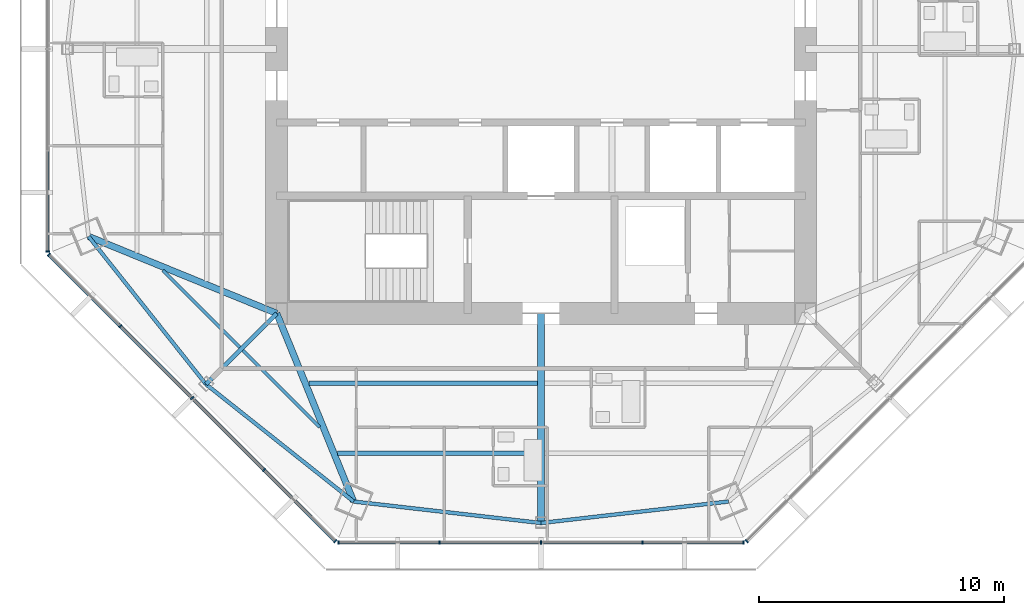
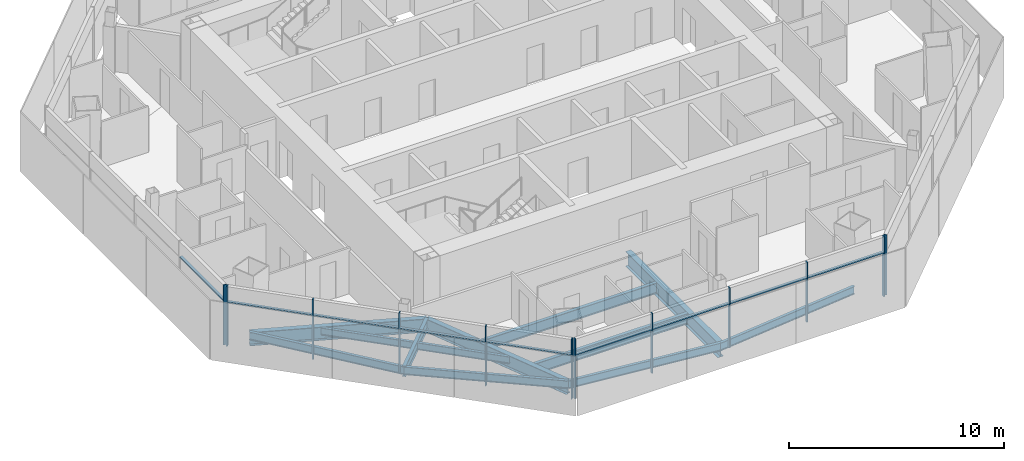
# One storey, part 2 of 15: 21 members, 12 beams, 4 elements without a shape of their own.
"""IFC4 building model written with IfcOpenShell, lengths in metres."""

from ifc_helpers import new_model, si_unit, direction, frame, origin, origin_2d, place, context, subcontext, project, spatial, rectangle, i_section, extrude, source, transform, mapped, material, material_profile, profile_set, type_object, type_shapes, element, aggregate, save


model = new_model("IFC4")

# Units and contexts
model_context = context("Model", 3, precision=1e-05, world=origin(), true_north=direction((0.0, 1.0)))
body_context = subcontext(model_context, "Body", "Model", "MODEL_VIEW")
ifc_project = project(units=[si_unit("LENGTHUNIT", "METRE"), si_unit("AREAUNIT", "SQUARE_METRE"), si_unit("VOLUMEUNIT", "CUBIC_METRE"), si_unit("PLANEANGLEUNIT", "RADIAN"), si_unit("MASSUNIT", "GRAM", prefix="KILO")], contexts=[model_context])

# Site, building, storey
site_placement = place(None, origin())
site = spatial("IfcSite", under=ifc_project, at=site_placement, CompositionType="ELEMENT")
building_placement = place(site_placement, origin())
building = spatial("IfcBuilding", under=site, at=building_placement, Name="Mashrafa Tower", CompositionType="ELEMENT")
storey_placement = place(building_placement, frame((0.0, 0.0, 277.60009765625)))
storey = spatial("IfcBuildingStorey", under=building, at=storey_placement, Name="L67", CompositionType="ELEMENT", Elevation=277.60009765625)

# Beams
ifc_material_1 = material(Name="Steel ASTM A992", Category="steel")
ifc_material_profile_1 = material_profile(ifc_material_1, i_section(OverallWidth=0.140380859375, OverallDepth=0.40380859375, WebThickness=0.007080078125, FlangeThickness=0.01123046875, FilletRadius=0.01025390625, at=origin_2d()), Name="W16X31")
ifc_profile_set_1 = profile_set([ifc_material_profile_1], Name="Steel ASTM A992")
beam_type_1 = type_object("IfcBeamType", Name="Beam W16X31", PredefinedType="BEAM", material=ifc_profile_set_1)
for number, where, z_axis, x_axis, name in (
    (1, (-12.310546875, -12.1845703125, -0.402099609375), (-0.707106781187, 0.707106781187, 0.0), (-0.707106781187, -0.707106781187, 0.0), "Floor beam L67 006"),
    (2, (-9.0439453125, -15.451171875, -0.402099609375), (-0.707106781187, 0.707106781187, 0.0), (-0.707106781187, -0.707106781187, 0.0), "Floor beam L67 009"),
):
    element("IfcBeam", number, at=place(storey_placement, frame(where, z_axis=z_axis, x_axis=x_axis)), inside=storey, type_object=beam_type_1, Name=name, PredefinedType="BEAM", context=body_context, shape_type="SweptSolid", body=[
        extrude(i_section(OverallWidth=0.140380859375, OverallDepth=0.40380859375, WebThickness=0.007080078125, FlangeThickness=0.01123046875, FilletRadius=0.01025390625, at=origin_2d()), origin(), (0.0, 0.0, 1.0), 4.44140625),
    ])
ifc_material_2 = material(Name="Steel ASTM A992", Category="steel")
ifc_material_profile_2 = material_profile(ifc_material_2, i_section(OverallWidth=0.15234375, OverallDepth=0.449462890625, WebThickness=0.007568359375, FlangeThickness=0.0107421875, FilletRadius=0.01025390625, at=origin_2d()), Name="W18X35")
ifc_profile_set_2 = profile_set([ifc_material_profile_2], Name="Steel ASTM A992")
beam_type_2 = type_object("IfcBeamType", Name="Beam W18X35", PredefinedType="BEAM", material=ifc_profile_set_2)
for number, where, z_axis, x_axis, name in (
    (3, (-18.4892578125, -7.658447265625, -0.4248046875), (0.62194897741, -0.783057768941, 0.0), (0.783057768941, 0.62194897741, 0.0), "Spandrel beam L67 042"),
    (4, (-13.69482421875, -13.69482421875, -0.4248046875), (0.783057768941, -0.62194897741, 0.0), (0.62194897741, 0.783057768941, 0.0), "Spandrel beam L67 044"),
    (5, (-7.658447265625, -18.4892578125, -0.4248046875), (0.993489829631, -0.113920842781, 0.0), (0.113920842781, 0.993489829631, 0.0), "Spandrel beam L67 046"),
    (6, (0.0, -19.367431640625, -0.4248046875), (0.993489829631, 0.113920842781, 0.0), (-0.113920842781, 0.993489829631, 0.0), "Spandrel beam L67 048"),
):
    element("IfcBeam", number, at=place(storey_placement, frame(where, z_axis=z_axis, x_axis=x_axis)), inside=storey, type_object=beam_type_2, Name=name, PredefinedType="BEAM", context=body_context, shape_type="SweptSolid", body=[
        extrude(i_section(OverallWidth=0.15234375, OverallDepth=0.449462890625, WebThickness=0.007568359375, FlangeThickness=0.0107421875, FilletRadius=0.01025390625, at=origin_2d()), origin(), (0.0, 0.0, 1.0), 7.708740234375),
    ])
ifc_material_3 = material(Name="Steel ASTM A992", Category="steel")
ifc_material_profile_3 = material_profile(ifc_material_3, i_section(OverallWidth=0.177978515625, OverallDepth=0.599365234375, WebThickness=0.010009765625, FlangeThickness=0.012939453125, FilletRadius=0.012939453125, at=origin_2d()), Name="W24X55")
ifc_profile_set_3 = profile_set([ifc_material_profile_3], Name="Steel ASTM A992")
beam_type_3 = type_object("IfcBeamType", Name="Beam W24X55", PredefinedType="BEAM", material=ifc_profile_set_3)
beam_1_placement = place(storey_placement, frame((-0.14599609375, -16.51171875, -0.499755859375), z_axis=(-1.0, 0.0, 0.0), x_axis=(0.0, -1.0, 0.0)))
element("IfcBeam", 7, at=beam_1_placement, inside=storey, type_object=beam_type_3, Name="Floor beam L67 011", PredefinedType="BEAM", context=body_context, shape_type="SweptSolid", body=[
    extrude(i_section(OverallWidth=0.177978515625, OverallDepth=0.599365234375, WebThickness=0.010009765625, FlangeThickness=0.012939453125, FilletRadius=0.012939453125, at=origin_2d()), origin(), (0.0, 0.0, 1.0), 8.176513671875),
])
beam_2_placement = place(storey_placement, frame((-0.14599609375, -13.65576171875, -0.499755859375), z_axis=(-1.0, 0.0, 0.0), x_axis=(0.0, -1.0, 0.0)))
element("IfcBeam", 8, at=beam_2_placement, inside=storey, type_object=beam_type_3, Name="Floor beam L67 012", PredefinedType="BEAM", context=body_context, shape_type="SweptSolid", body=[
    extrude(i_section(OverallWidth=0.177978515625, OverallDepth=0.599365234375, WebThickness=0.010009765625, FlangeThickness=0.012939453125, FilletRadius=0.012939453125, at=origin_2d()), origin(), (0.0, 0.0, 1.0), 9.34326171875),
])
beam_3_placement = place(storey_placement, frame((-10.800048828125, -10.800048828125, -0.499755859375), z_axis=(-0.707106781187, -0.707106781187, 0.0), x_axis=(0.707106781187, -0.707106781187, 0.0)))
element("IfcBeam", 9, at=beam_3_placement, inside=storey, type_object=beam_type_3, Name="Radial girder L67 026", PredefinedType="BEAM", context=body_context, shape_type="SweptSolid", body=[
    extrude(i_section(OverallWidth=0.177978515625, OverallDepth=0.599365234375, WebThickness=0.010009765625, FlangeThickness=0.012939453125, FilletRadius=0.012939453125, at=origin_2d()), origin(), (0.0, 0.0, 1.0), 4.09375),
])
ifc_material_4 = material(Name="Steel ASTM A992", Category="steel")
ifc_material_profile_4 = material_profile(ifc_material_4, i_section(OverallWidth=0.2666015625, OverallDepth=0.761962890625, WebThickness=0.014404296875, FlangeThickness=0.021484375, FilletRadius=0.0166015625, at=origin_2d()), Name="W30X116")
ifc_profile_set_4 = profile_set([ifc_material_profile_4], Name="Steel ASTM A992")
beam_type_4 = type_object("IfcBeamType", Name="Beam W30X116", PredefinedType="BEAM", material=ifc_profile_set_4)
for number, where, z_axis, x_axis, name in (
    (10, (-10.800048828125, -10.800048828125, -0.5810546875), (-0.925714948157, 0.378221938495, 0.0), (-0.378221938495, -0.925714948157, 0.0), "Radial girder L67 025"),
    (11, (-10.800048828125, -10.800048828125, -0.5810546875), (0.378221938495, -0.925714948157, 0.0), (0.925714948157, 0.378221938495, 0.0), "Radial girder L67 027"),
):
    element("IfcBeam", number, at=place(storey_placement, frame(where, z_axis=z_axis, x_axis=x_axis)), inside=storey, type_object=beam_type_4, Name=name, PredefinedType="BEAM", context=body_context, shape_type="SweptSolid", body=[
        extrude(i_section(OverallWidth=0.2666015625, OverallDepth=0.761962890625, WebThickness=0.014404296875, FlangeThickness=0.021484375, FilletRadius=0.0166015625, at=origin_2d()), origin(), (0.0, 0.0, 1.0), 8.30615234375),
    ])
ifc_material_5 = material(Name="Steel ASTM A992", Category="steel")
ifc_material_profile_5 = material_profile(ifc_material_5, i_section(OverallWidth=0.2919921875, OverallDepth=0.845703125, WebThickness=0.015380859375, FlangeThickness=0.0244140625, FilletRadius=0.017333984375, at=origin_2d()), Name="W33X141")
ifc_profile_set_5 = profile_set([ifc_material_profile_5], Name="Steel ASTM A992")
beam_type_5 = type_object("IfcBeamType", Name="Beam W33X141", PredefinedType="BEAM", material=ifc_profile_set_5)
beam_4_placement = place(storey_placement, frame((0.0, -10.800048828125, -0.623046875), z_axis=(0.0, -1.0, 0.0), x_axis=(1.0, 0.0, 0.0)))
element("IfcBeam", 12, at=beam_4_placement, inside=storey, type_object=beam_type_5, Name="Radial girder L67 032", PredefinedType="BEAM", context=body_context, shape_type="SweptSolid", body=[
    extrude(i_section(OverallWidth=0.2919921875, OverallDepth=0.845703125, WebThickness=0.015380859375, FlangeThickness=0.0244140625, FilletRadius=0.017333984375, at=origin_2d()), origin(), (0.0, 0.0, 1.0), 8.5673828125),
])

# Curtain wall, member
ifc_material_6 = material(Name="Unitised aluminium curtain wall", Category="aluminium")
curtain_wall_type = type_object("IfcCurtainWallType", Name="Apartment curtain wall, zone 4 CW-D 160 deep", PredefinedType="NOTDEFINED", material=ifc_material_6)
curtain_wall_1_placement = place(storey_placement, origin())
curtain_wall_1 = element("IfcCurtainWall", 13, at=curtain_wall_1_placement, inside=storey, type_object=curtain_wall_type, Name="Apartment curtain wall, zone 4 L67 west", PredefinedType="NOTDEFINED")
ifc_material_7 = material(Name="Extruded aluminium mullion", Category="aluminium")
ifc_material_profile_6 = material_profile(ifc_material_7, rectangle(XDim=0.159912109375, YDim=0.06005859375, at=origin_2d()), Name="Mullion 60x160")
ifc_profile_set_6 = profile_set([ifc_material_profile_6], Name="Extruded aluminium mullion")
member_type_1 = type_object("IfcMemberType", Name="Mullion CW-D 60 x 160", PredefinedType="MULLION", material=ifc_profile_set_6)
shared_shape_1 = source(origin(), body_context, "Body", "SweptSolid", [
    extrude(rectangle(XDim=0.159912109375, YDim=0.06005859375, at=origin_2d()), origin(), (0.0, 0.0, 1.0), 3.39990234375),
])
type_shapes(member_type_1, [shared_shape_1])
member_1_placement = place(storey_placement, frame((-20.161865234375, -8.278076171875, 0.0), z_axis=(0.0, 0.0, 1.0), x_axis=(1.0, 0.0, 0.0)))
member_1 = element("IfcMember", 14, at=member_1_placement, type_object=member_type_1, Name="CW-D mullion 5", PredefinedType="MULLION", context=body_context, shape_type="MappedRepresentation", body=[
    mapped(shared_shape_1, transform((0.0, 0.0, 0.0))),
])

# Curtain wall, members
curtain_wall_2_placement = place(storey_placement, origin())
curtain_wall_2 = element("IfcCurtainWall", 15, at=curtain_wall_2_placement, inside=storey, type_object=curtain_wall_type, Name="Apartment curtain wall, zone 4 L67 south-west", PredefinedType="NOTDEFINED")
member_2_placement = place(storey_placement, frame((-20.110107421875, -8.403076171875, 0.0), z_axis=(0.0, 0.0, 1.0), x_axis=(0.707106781187, 0.707106781187, 0.0)))
member_2 = element("IfcMember", 16, at=member_2_placement, type_object=member_type_1, Name="CW-D mullion 1", PredefinedType="MULLION", context=body_context, shape_type="MappedRepresentation", body=[
    mapped(shared_shape_1, transform((0.0, 0.0, 0.0))),
])
member_3_placement = place(storey_placement, frame((-17.19384765625, -11.319091796875, 0.0), z_axis=(0.0, 0.0, 1.0), x_axis=(0.707106781187, 0.707106781187, 0.0)))
member_3 = element("IfcMember", 17, at=member_3_placement, type_object=member_type_1, Name="CW-D mullion 2", PredefinedType="MULLION", context=body_context, shape_type="MappedRepresentation", body=[
    mapped(shared_shape_1, transform((0.0, 0.0, 0.0))),
])
member_4_placement = place(storey_placement, frame((-14.256591796875, -14.256591796875, 0.0), z_axis=(0.0, 0.0, 1.0), x_axis=(0.707106781187, 0.707106781187, 0.0)))
member_4 = element("IfcMember", 18, at=member_4_placement, type_object=member_type_1, Name="CW-D mullion 3", PredefinedType="MULLION", context=body_context, shape_type="MappedRepresentation", body=[
    mapped(shared_shape_1, transform((0.0, 0.0, 0.0))),
])
member_5_placement = place(storey_placement, frame((-11.319091796875, -17.19384765625, 0.0), z_axis=(0.0, 0.0, 1.0), x_axis=(0.707106781187, 0.707106781187, 0.0)))
member_5 = element("IfcMember", 19, at=member_5_placement, type_object=member_type_1, Name="CW-D mullion 4", PredefinedType="MULLION", context=body_context, shape_type="MappedRepresentation", body=[
    mapped(shared_shape_1, transform((0.0, 0.0, 0.0))),
])
member_6_placement = place(storey_placement, frame((-8.403076171875, -20.110107421875, 0.0), z_axis=(0.0, 0.0, 1.0), x_axis=(0.707106781187, 0.707106781187, 0.0)))
member_6 = element("IfcMember", 20, at=member_6_placement, type_object=member_type_1, Name="CW-D mullion 5", PredefinedType="MULLION", context=body_context, shape_type="MappedRepresentation", body=[
    mapped(shared_shape_1, transform((0.0, 0.0, 0.0))),
])

curtain_wall_3_placement = place(storey_placement, origin())
curtain_wall_3 = element("IfcCurtainWall", 21, at=curtain_wall_3_placement, inside=storey, type_object=curtain_wall_type, Name="Apartment curtain wall, zone 4 L67 south", PredefinedType="NOTDEFINED")
member_7_placement = place(storey_placement, frame((-8.278076171875, -20.161865234375, 0.0), z_axis=(0.0, 0.0, 1.0), x_axis=(0.0, 1.0, 0.0)))
member_7 = element("IfcMember", 22, at=member_7_placement, type_object=member_type_1, Name="CW-D mullion 1", PredefinedType="MULLION", context=body_context, shape_type="MappedRepresentation", body=[
    mapped(shared_shape_1, transform((0.0, 0.0, 0.0))),
])
member_8_placement = place(storey_placement, frame((-4.154052734375, -20.161865234375, 0.0), z_axis=(0.0, 0.0, 1.0), x_axis=(0.0, 1.0, 0.0)))
member_8 = element("IfcMember", 23, at=member_8_placement, type_object=member_type_1, Name="CW-D mullion 2", PredefinedType="MULLION", context=body_context, shape_type="MappedRepresentation", body=[
    mapped(shared_shape_1, transform((0.0, 0.0, 0.0))),
])
member_9_placement = place(storey_placement, frame((0.0, -20.161865234375, 0.0), z_axis=(0.0, 0.0, 1.0), x_axis=(0.0, 1.0, 0.0)))
member_9 = element("IfcMember", 24, at=member_9_placement, type_object=member_type_1, Name="CW-D mullion 3", PredefinedType="MULLION", context=body_context, shape_type="MappedRepresentation", body=[
    mapped(shared_shape_1, transform((0.0, 0.0, 0.0))),
])
member_10_placement = place(storey_placement, frame((4.154052734375, -20.161865234375, 0.0), z_axis=(0.0, 0.0, 1.0), x_axis=(0.0, 1.0, 0.0)))
member_10 = element("IfcMember", 25, at=member_10_placement, type_object=member_type_1, Name="CW-D mullion 4", PredefinedType="MULLION", context=body_context, shape_type="MappedRepresentation", body=[
    mapped(shared_shape_1, transform((0.0, 0.0, 0.0))),
])
member_11_placement = place(storey_placement, frame((8.278076171875, -20.161865234375, 0.0), z_axis=(0.0, 0.0, 1.0), x_axis=(0.0, 1.0, 0.0)))
member_11 = element("IfcMember", 26, at=member_11_placement, type_object=member_type_1, Name="CW-D mullion 5", PredefinedType="MULLION", context=body_context, shape_type="MappedRepresentation", body=[
    mapped(shared_shape_1, transform((0.0, 0.0, 0.0))),
])

# Curtain wall, member
curtain_wall_4_placement = place(storey_placement, origin())
curtain_wall_4 = element("IfcCurtainWall", 27, at=curtain_wall_4_placement, inside=storey, type_object=curtain_wall_type, Name="Apartment curtain wall, zone 4 L67 south-east", PredefinedType="NOTDEFINED")
member_12_placement = place(storey_placement, frame((8.403076171875, -20.110107421875, 0.0), z_axis=(0.0, 0.0, 1.0), x_axis=(-0.707106781187, 0.707106781187, 0.0)))
member_12 = element("IfcMember", 28, at=member_12_placement, type_object=member_type_1, Name="CW-D mullion 1", PredefinedType="MULLION", context=body_context, shape_type="MappedRepresentation", body=[
    mapped(shared_shape_1, transform((0.0, 0.0, 0.0))),
])
aggregate(curtain_wall_4, [member_12])

# Member
ifc_material_8 = material(Name="Extruded aluminium transom", Category="aluminium")
ifc_material_profile_7 = material_profile(ifc_material_8, rectangle(XDim=0.1279296875, YDim=0.074951171875, at=origin_2d()), Name="Transom 75x128")
ifc_profile_set_7 = profile_set([ifc_material_profile_7], Name="Extruded aluminium transom")
member_type_2 = type_object("IfcMemberType", Name="Transom CW-D 75 x 128", PredefinedType="MULLION", material=ifc_profile_set_7)
shared_shape_2 = source(origin(), body_context, "Body", "SweptSolid", [
    extrude(rectangle(XDim=0.1279296875, YDim=0.074951171875, at=origin_2d()), origin(), (0.0, 0.0, 1.0), 4.06396484375),
])
member_13_placement = place(storey_placement, frame((-20.161865234375, -4.18408203125, 2.5), z_axis=(0.0, -1.0, 0.0), x_axis=(1.0, 0.0, 0.0)))
member_13 = element("IfcMember", 29, at=member_13_placement, type_object=member_type_2, Name="CW-D transom 4", PredefinedType="MULLION", context=body_context, shape_type="MappedRepresentation", body=[
    mapped(shared_shape_2, transform((0.0, 0.0, 0.0))),
])

aggregate(curtain_wall_1, [member_1, member_13])

member_14_placement = place(storey_placement, frame((-20.0888671875, -8.42431640625, 2.5), z_axis=(0.707136817793, -0.707076743304, 0.0), x_axis=(0.707076743304, 0.707136817793, 0.0)))
member_14 = element("IfcMember", 30, at=member_14_placement, type_object=member_type_2, Name="CW-D transom 1", PredefinedType="MULLION", context=body_context, shape_type="MappedRepresentation", body=[
    mapped(shared_shape_2, transform((0.0, 0.0, 0.0))),
])

member_15_placement = place(storey_placement, frame((-11.2978515625, -17.215087890625, 2.5), z_axis=(0.707076743304, -0.707136817793, 0.0), x_axis=(0.707136817793, 0.707076743304, 0.0)))
member_15 = element("IfcMember", 31, at=member_15_placement, type_object=member_type_2, Name="CW-D transom 4", PredefinedType="MULLION", context=body_context, shape_type="MappedRepresentation", body=[
    mapped(shared_shape_2, transform((0.0, 0.0, 0.0))),
])

member_16_placement = place(storey_placement, frame((-8.248046875, -20.161865234375, 2.5), z_axis=(1.0, 0.0, 0.0), x_axis=(0.0, 1.0, 0.0)))
member_16 = element("IfcMember", 32, at=member_16_placement, type_object=member_type_2, Name="CW-D transom 1", PredefinedType="MULLION", context=body_context, shape_type="MappedRepresentation", body=[
    mapped(shared_shape_2, transform((0.0, 0.0, 0.0))),
])

member_17_placement = place(storey_placement, frame((4.18408203125, -20.161865234375, 2.5), z_axis=(1.0, 0.0, 0.0), x_axis=(0.0, 1.0, 0.0)))
member_17 = element("IfcMember", 33, at=member_17_placement, type_object=member_type_2, Name="CW-D transom 4", PredefinedType="MULLION", context=body_context, shape_type="MappedRepresentation", body=[
    mapped(shared_shape_2, transform((0.0, 0.0, 0.0))),
])

shared_shape_3 = source(origin(), body_context, "Body", "SweptSolid", [
    extrude(rectangle(XDim=0.1279296875, YDim=0.074951171875, at=origin_2d()), origin(), (0.0, 0.0, 1.0), 4.093994140625),
])
type_shapes(member_type_2, [shared_shape_2, shared_shape_3])
member_18_placement = place(storey_placement, frame((-17.172607421875, -11.34033203125, 2.5), z_axis=(0.7070769637, -0.707136597416, 0.0), x_axis=(0.707136597416, 0.7070769637, 0.0)))
member_18 = element("IfcMember", 34, at=member_18_placement, type_object=member_type_2, Name="CW-D transom 2", PredefinedType="MULLION", context=body_context, shape_type="MappedRepresentation", body=[
    mapped(shared_shape_3, transform((0.0, 0.0, 0.0))),
])

member_19_placement = place(storey_placement, frame((-14.2353515625, -14.27783203125, 2.5), z_axis=(0.707136597416, -0.7070769637, 0.0), x_axis=(0.7070769637, 0.707136597416, 0.0)))
member_19 = element("IfcMember", 35, at=member_19_placement, type_object=member_type_2, Name="CW-D transom 3", PredefinedType="MULLION", context=body_context, shape_type="MappedRepresentation", body=[
    mapped(shared_shape_3, transform((0.0, 0.0, 0.0))),
])

aggregate(curtain_wall_2, [member_2, member_3, member_4, member_5, member_6, member_14, member_18, member_19, member_15])

member_20_placement = place(storey_placement, frame((-4.1240234375, -20.161865234375, 2.5), z_axis=(1.0, 0.0, 0.0), x_axis=(0.0, 1.0, 0.0)))
member_20 = element("IfcMember", 36, at=member_20_placement, type_object=member_type_2, Name="CW-D transom 2", PredefinedType="MULLION", context=body_context, shape_type="MappedRepresentation", body=[
    mapped(shared_shape_3, transform((0.0, 0.0, 0.0))),
])

member_21_placement = place(storey_placement, frame((0.030029296875, -20.161865234375, 2.5), z_axis=(1.0, 0.0, 0.0), x_axis=(0.0, 1.0, 0.0)))
member_21 = element("IfcMember", 37, at=member_21_placement, type_object=member_type_2, Name="CW-D transom 3", PredefinedType="MULLION", context=body_context, shape_type="MappedRepresentation", body=[
    mapped(shared_shape_3, transform((0.0, 0.0, 0.0))),
])

aggregate(curtain_wall_3, [member_7, member_8, member_9, member_10, member_11, member_16, member_20, member_21, member_17])

save(model, "model.ifc")
